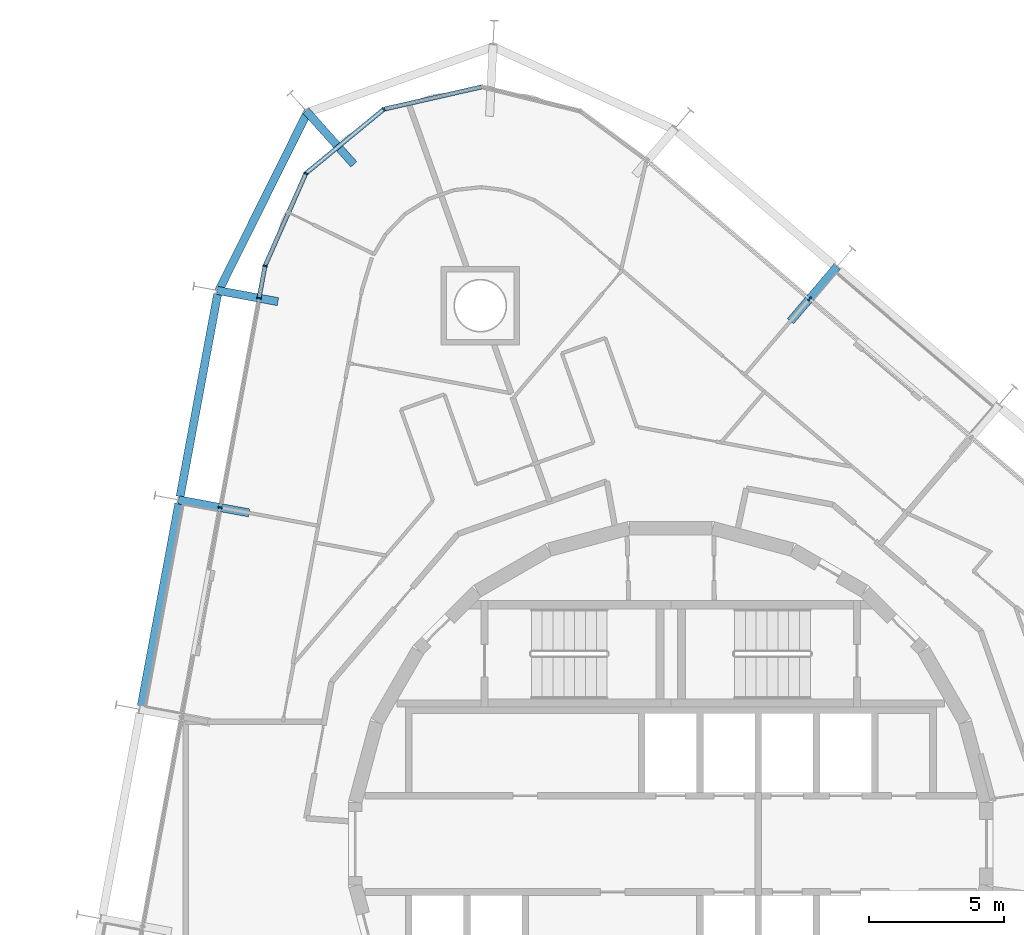
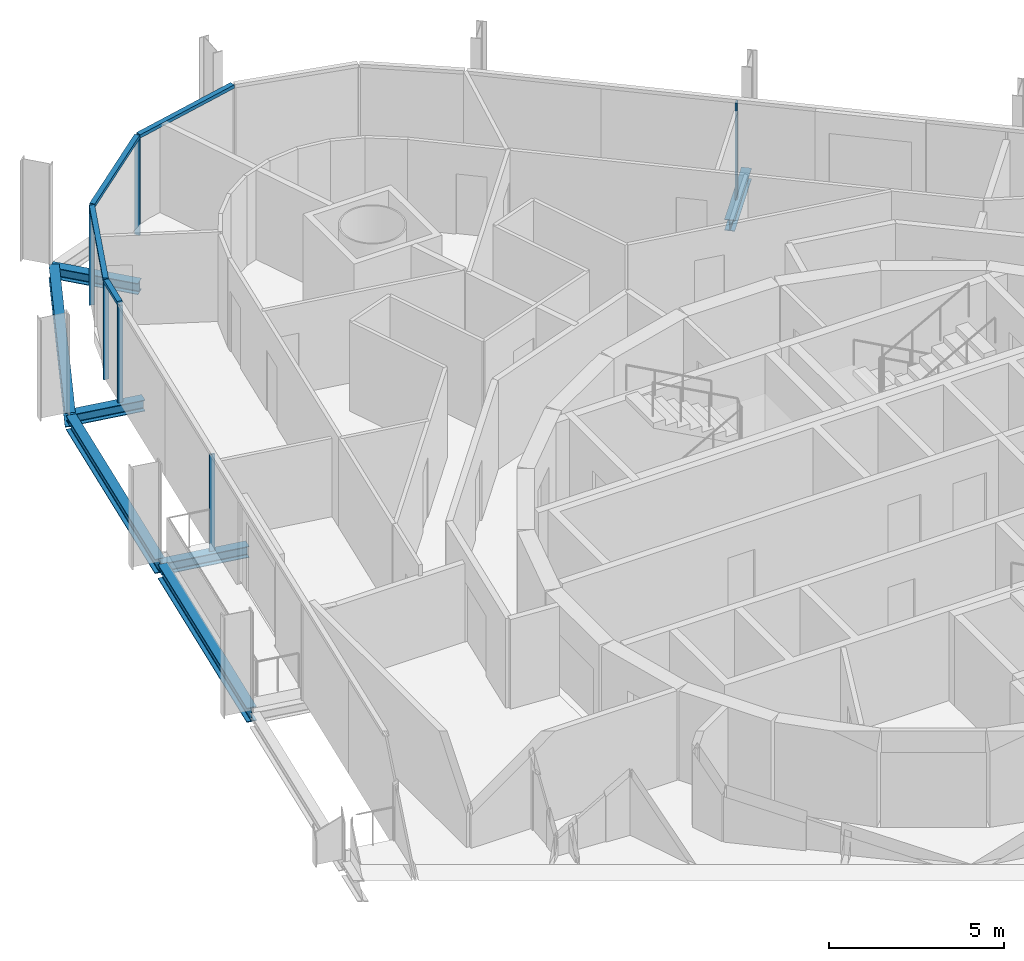
# One storey, part 6 of 17: 10 members, 7 beams, 3 elements without a shape of their own.
"""IFC4 building model written with IfcOpenShell, lengths in metres."""

from ifc_helpers import new_model, si_unit, direction, frame, origin, origin_2d, place, context, subcontext, project, spatial, rectangle, i_section, extrude, material, layer, layer_set, material_profile, profile_set, type_object, element, aggregate, save


model = new_model("IFC4")

# Units and contexts
model_context = context("Model", 3, precision=1e-05, world=origin(), true_north=direction((0.0, 1.0)))
body_context = subcontext(model_context, "Body", "Model", "MODEL_VIEW")
ifc_project = project(units=[si_unit("LENGTHUNIT", "METRE"), si_unit("AREAUNIT", "SQUARE_METRE"), si_unit("VOLUMEUNIT", "CUBIC_METRE"), si_unit("PLANEANGLEUNIT", "RADIAN"), si_unit("MASSUNIT", "GRAM", prefix="KILO")], contexts=[model_context])

# Site, building, storey
site_placement = place(None, origin())
site = spatial("IfcSite", under=ifc_project, at=site_placement, CompositionType="ELEMENT")
building_placement = place(site_placement, origin())
building = spatial("IfcBuilding", under=site, at=building_placement, Name="Spindle Arch Residences", CompositionType="ELEMENT")
storey_placement = place(building_placement, frame((0.0, 0.0, 176.199951171875)))
storey = spatial("IfcBuildingStorey", under=building, at=storey_placement, Name="L44", CompositionType="ELEMENT", Elevation=176.199951171875)

# Curtain wall, member
ifc_material_1 = material(Name="Aluminium bronze unitised frame with tinted glass", Category="aluminium")
ifc_layer_1 = layer(ifc_material_1, 0.159912109375)
ifc_layer_set_1 = layer_set([ifc_layer_1], Name="CW-C typical residential unitised wall")
curtain_wall_type_1 = type_object("IfcCurtainWallType", Name="CW-C typical residential unitised wall", PredefinedType="NOTDEFINED", material=ifc_layer_set_1)
curtain_wall_1_placement = place(storey_placement, origin())
curtain_wall_1 = element("IfcCurtainWall", 1, at=curtain_wall_1_placement, inside=storey, type_object=curtain_wall_type_1, Name="CW-C L44 run 2", PredefinedType="NOTDEFINED")
ifc_material_2 = material(Name="Aluminium bronze anodised mullion", Category="aluminium")
ifc_material_profile_1 = material_profile(ifc_material_2, rectangle(XDim=0.159912109375, YDim=0.06005859375, at=origin_2d()), Name="MU 60x160")
ifc_profile_set_1 = profile_set([ifc_material_profile_1], Name="Aluminium bronze anodised mullion")
member_type_1 = type_object("IfcMemberType", Name="Bronze mullion 60x160", PredefinedType="MULLION", material=ifc_profile_set_1)
member_1_placement = place(storey_placement, frame((5.115234375, 20.10888671875, -0.3798828125), z_axis=(0.0, 0.0, 1.0), x_axis=(-0.64944804833, -0.7604059656, 0.0)))
member_1 = element("IfcMember", 2, at=member_1_placement, type_object=member_type_1, Name="CW-C mullion 08", PredefinedType="MULLION", context=body_context, shape_type="SweptSolid", body=[
    extrude(rectangle(XDim=0.159912109375, YDim=0.06005859375, at=origin_2d()), origin(), (0.0, 0.0, 1.0), 3.3798828125),
])
aggregate(curtain_wall_1, [member_1])

# Curtain wall, members
ifc_material_3 = material(Name="Aluminium bronze unitised frame with tinted glass", Category="aluminium")
ifc_layer_2 = layer(ifc_material_3, 0.159912109375)
ifc_layer_set_2 = layer_set([ifc_layer_2], Name="CW-D corner wall on the fillet arcs")
curtain_wall_type_2 = type_object("IfcCurtainWallType", Name="CW-D corner wall on the fillet arcs", PredefinedType="NOTDEFINED", material=ifc_layer_set_2)
curtain_wall_2_placement = place(storey_placement, origin())
curtain_wall_2 = element("IfcCurtainWall", 3, at=curtain_wall_2_placement, inside=storey, type_object=curtain_wall_type_2, Name="CW-D L44 run 3", PredefinedType="NOTDEFINED")
member_2_placement = place(storey_placement, frame((-10.594970703125, 27.109619140625, -0.3798828125), z_axis=(0.0, 0.0, 1.0), x_axis=(0.636078220709, -0.771624583032, 0.0)))
member_2 = element("IfcMember", 4, at=member_2_placement, type_object=member_type_1, Name="CW-D mullion 03", PredefinedType="MULLION", context=body_context, shape_type="SweptSolid", body=[
    extrude(rectangle(XDim=0.159912109375, YDim=0.06005859375, at=origin_2d()), origin(), (0.0, 0.0, 1.0), 3.3798828125),
])
member_3_placement = place(storey_placement, frame((-13.470703125, 24.739013671875, -0.3798828125), z_axis=(0.0, 0.0, 1.0), x_axis=(0.914724741271, -0.404077526853, 0.0)))
member_3 = element("IfcMember", 5, at=member_3_placement, type_object=member_type_1, Name="CW-D mullion 04", PredefinedType="MULLION", context=body_context, shape_type="SweptSolid", body=[
    extrude(rectangle(XDim=0.159912109375, YDim=0.06005859375, at=origin_2d()), origin(), (0.0, 0.0, 1.0), 3.3798828125),
])
member_4_placement = place(storey_placement, frame((-14.9765625, 21.330078125, -0.3798828125), z_axis=(0.0, 0.0, 1.0), x_axis=(0.983254907564, -0.182235525492, 0.0)))
member_4 = element("IfcMember", 6, at=member_4_placement, type_object=member_type_1, Name="CW-D mullion 05", PredefinedType="MULLION", context=body_context, shape_type="SweptSolid", body=[
    extrude(rectangle(XDim=0.159912109375, YDim=0.06005859375, at=origin_2d()), origin(), (0.0, 0.0, 1.0), 3.3798828125),
])

curtain_wall_3_placement = place(storey_placement, origin())
curtain_wall_3 = element("IfcCurtainWall", 7, at=curtain_wall_3_placement, inside=storey, type_object=curtain_wall_type_1, Name="CW-C L44 run 4", PredefinedType="NOTDEFINED")
member_5_placement = place(storey_placement, frame((-15.19775390625, 20.136962890625, -0.3798828125), z_axis=(0.0, 0.0, 1.0), x_axis=(0.983254907564, -0.182235525492, 0.0)))
member_5 = element("IfcMember", 8, at=member_5_placement, type_object=member_type_1, Name="CW-C mullion 12", PredefinedType="MULLION", context=body_context, shape_type="SweptSolid", body=[
    extrude(rectangle(XDim=0.159912109375, YDim=0.06005859375, at=origin_2d()), origin(), (0.0, 0.0, 1.0), 3.3798828125),
])
member_6_placement = place(storey_placement, frame((-16.630126953125, 12.408447265625, -0.3798828125), z_axis=(0.0, 0.0, 1.0), x_axis=(0.983254907564, -0.182235525492, 0.0)))
member_6 = element("IfcMember", 9, at=member_6_placement, type_object=member_type_1, Name="CW-C mullion 13", PredefinedType="MULLION", context=body_context, shape_type="SweptSolid", body=[
    extrude(rectangle(XDim=0.159912109375, YDim=0.06005859375, at=origin_2d()), origin(), (0.0, 0.0, 1.0), 3.3798828125),
])
aggregate(curtain_wall_3, [member_5, member_6])

# Member
ifc_material_4 = material(Name="Aluminium bronze anodised transom", Category="aluminium")
ifc_material_profile_2 = material_profile(ifc_material_4, rectangle(XDim=0.159912109375, YDim=0.1201171875, at=origin_2d()), Name="TR 120x160")
ifc_profile_set_2 = profile_set([ifc_material_profile_2], Name="Aluminium bronze anodised transom")
member_type_2 = type_object("IfcMemberType", Name="Bronze transom 120x160", PredefinedType="USERDEFINED", material=ifc_profile_set_2)
member_7_placement = place(storey_placement, frame((-6.99072265625, 27.9306640625, 3.06005859375), z_axis=(-0.975020234813, -0.222116054585, 0.0), x_axis=(0.222116054585, -0.975020234813, 0.0)))
member_7 = element("IfcMember", 10, at=member_7_placement, type_object=member_type_2, Name="CW-D transom 02", ObjectType="TRANSOM", PredefinedType="USERDEFINED", context=body_context, shape_type="SweptSolid", body=[
    extrude(rectangle(XDim=0.159912109375, YDim=0.1201171875, at=origin_2d()), origin(), (0.0, 0.0, 1.0), 3.666748046875),
])

member_8_placement = place(storey_placement, frame((-10.6181640625, 27.09033203125, 3.06005859375), z_axis=(-0.771632242696, -0.63606892868, 0.0), x_axis=(0.63606892868, -0.771632242696, 0.0)))
member_8 = element("IfcMember", 11, at=member_8_placement, type_object=member_type_2, Name="CW-D transom 03", ObjectType="TRANSOM", PredefinedType="USERDEFINED", context=body_context, shape_type="SweptSolid", body=[
    extrude(rectangle(XDim=0.159912109375, YDim=0.1201171875, at=origin_2d()), origin(), (0.0, 0.0, 1.0), 3.666748046875),
])

member_9_placement = place(storey_placement, frame((-13.48291015625, 24.711669921875, 3.06005859375), z_axis=(-0.404067984384, -0.914728956575, 0.0), x_axis=(0.914728956575, -0.404067984384, 0.0)))
member_9 = element("IfcMember", 12, at=member_9_placement, type_object=member_type_2, Name="CW-D transom 04", ObjectType="TRANSOM", PredefinedType="USERDEFINED", context=body_context, shape_type="SweptSolid", body=[
    extrude(rectangle(XDim=0.159912109375, YDim=0.1201171875, at=origin_2d()), origin(), (0.0, 0.0, 1.0), 3.6669921875),
])

member_10_placement = place(storey_placement, frame((-14.982177734375, 21.300537109375, 3.06005859375), z_axis=(-0.182256018308, -0.983251109224, 0.0), x_axis=(0.983251109224, -0.182256018308, 0.0)))
member_10 = element("IfcMember", 13, at=member_10_placement, type_object=member_type_2, Name="CW-D transom 05", ObjectType="TRANSOM", PredefinedType="USERDEFINED", context=body_context, shape_type="SweptSolid", body=[
    extrude(rectangle(XDim=0.159912109375, YDim=0.1201171875, at=origin_2d()), origin(), (0.0, 0.0, 1.0), 1.1533203125),
])

aggregate(curtain_wall_2, [member_7, member_2, member_8, member_3, member_9, member_4, member_10])

# Beams
ifc_material_5 = material(Name="Steel S460ML, intumescent coating R 120", Category="steel")
ifc_material_profile_3 = material_profile(ifc_material_5, i_section(OverallWidth=0.300048828125, OverallDepth=0.5, WebThickness=0.014404296875, FlangeThickness=0.028076171875, FilletRadius=0.027099609375, at=origin_2d()), Name="HEB 500")
ifc_profile_set_3 = profile_set([ifc_material_profile_3], Name="Steel S460ML, intumescent coating R 120")
beam_type_1 = type_object("IfcBeamType", Name="Exoskeleton edge beam HEB 500", PredefinedType="BEAM", material=ifc_profile_set_3)
beam_1_placement = place(storey_placement, frame((-13.39404296875, 27.031005859375, -0.6298828125), z_axis=(-0.445068669434, -0.895496443035, 0.0), x_axis=(0.895496443035, -0.445068669434, 0.0)))
element("IfcBeam", 14, at=beam_1_placement, inside=storey, type_object=beam_type_1, Name="Exoskeleton edge beam 12", PredefinedType="BEAM", context=body_context, shape_type="SweptSolid", body=[
    extrude(i_section(OverallWidth=0.300048828125, OverallDepth=0.5, WebThickness=0.014404296875, FlangeThickness=0.028076171875, FilletRadius=0.027099609375, at=origin_2d()), origin(), (0.0, 0.0, 1.0), 7.42578125),
])
for number, where, z_axis, x_axis, name in (
    (15, (-16.725830078125, 20.2880859375, -0.6298828125), (-0.182234195466, -0.983255154069, 0.0), (0.983255154069, -0.182234195466, 0.0), "Exoskeleton edge beam 13"),
    (16, (-18.158203125, 12.5595703125, -0.6298828125), (-0.182234195466, -0.983255154069, 0.0), (0.983255154069, -0.182234195466, 0.0), "Exoskeleton edge beam 14"),
):
    element("IfcBeam", number, at=place(storey_placement, frame(where, z_axis=z_axis, x_axis=x_axis)), inside=storey, type_object=beam_type_1, Name=name, PredefinedType="BEAM", context=body_context, shape_type="SweptSolid", body=[
        extrude(i_section(OverallWidth=0.300048828125, OverallDepth=0.5, WebThickness=0.014404296875, FlangeThickness=0.028076171875, FilletRadius=0.027099609375, at=origin_2d()), origin(), (0.0, 0.0, 1.0), 7.60009765625),
    ])
ifc_material_6 = material(Name="Steel S460ML, intumescent coating R 120", Category="steel")
ifc_material_profile_4 = material_profile(ifc_material_6, i_section(OverallWidth=0.300048828125, OverallDepth=0.389892578125, WebThickness=0.010986328125, FlangeThickness=0.01904296875, FilletRadius=0.027099609375, at=origin_2d()), Name="HEA 400")
ifc_profile_set_4 = profile_set([ifc_material_profile_4], Name="Steel S460ML, intumescent coating R 120")
beam_type_2 = type_object("IfcBeamType", Name="Floor outrigger HEA 400", PredefinedType="BEAM", material=ifc_profile_set_4)
for number, where, z_axis, x_axis, name in (
    (17, (6.134765625, 21.302734375, -0.574951171875), (-0.64941704551, -0.760432443417, 0.0), (0.760432443417, -0.64941704551, 0.0), "Floor outrigger 9"),
    (18, (-13.46337890625, 27.052001953125, -0.574951171875), (0.666477017118, -0.745525576793, 0.0), (0.745525576793, 0.666477017118, 0.0), "Floor outrigger 12"),
):
    element("IfcBeam", number, at=place(storey_placement, frame(where, z_axis=z_axis, x_axis=x_axis)), inside=storey, type_object=beam_type_2, Name=name, PredefinedType="BEAM", context=body_context, shape_type="SweptSolid", body=[
        extrude(i_section(OverallWidth=0.300048828125, OverallDepth=0.389892578125, WebThickness=0.010986328125, FlangeThickness=0.01904296875, FilletRadius=0.027099609375, at=origin_2d()), origin(), (0.0, 0.0, 1.0), 2.64990234375),
    ])
beam_2_placement = place(storey_placement, frame((-16.741455078125, 20.423095703125, -0.574951171875), z_axis=(0.983259266178, -0.182212006947, 0.0), x_axis=(0.182212006947, 0.983259266178, 0.0)))
element("IfcBeam", 19, at=beam_2_placement, inside=storey, type_object=beam_type_2, Name="Floor outrigger 13", PredefinedType="BEAM", context=body_context, shape_type="SweptSolid", body=[
    extrude(i_section(OverallWidth=0.300048828125, OverallDepth=0.389892578125, WebThickness=0.010986328125, FlangeThickness=0.01904296875, FilletRadius=0.027099609375, at=origin_2d()), origin(), (0.0, 0.0, 1.0), 2.279052734375),
])
beam_3_placement = place(storey_placement, frame((-18.173828125, 12.694580078125, -0.574951171875), z_axis=(0.98325694826, -0.182224514537, 0.0), x_axis=(0.182224514537, 0.98325694826, 0.0)))
element("IfcBeam", 20, at=beam_3_placement, inside=storey, type_object=beam_type_2, Name="Floor outrigger 14", PredefinedType="BEAM", context=body_context, shape_type="SweptSolid", body=[
    extrude(i_section(OverallWidth=0.300048828125, OverallDepth=0.389892578125, WebThickness=0.010986328125, FlangeThickness=0.01904296875, FilletRadius=0.027099609375, at=origin_2d()), origin(), (0.0, 0.0, 1.0), 2.650146484375),
])

save(model, "model.ifc")
